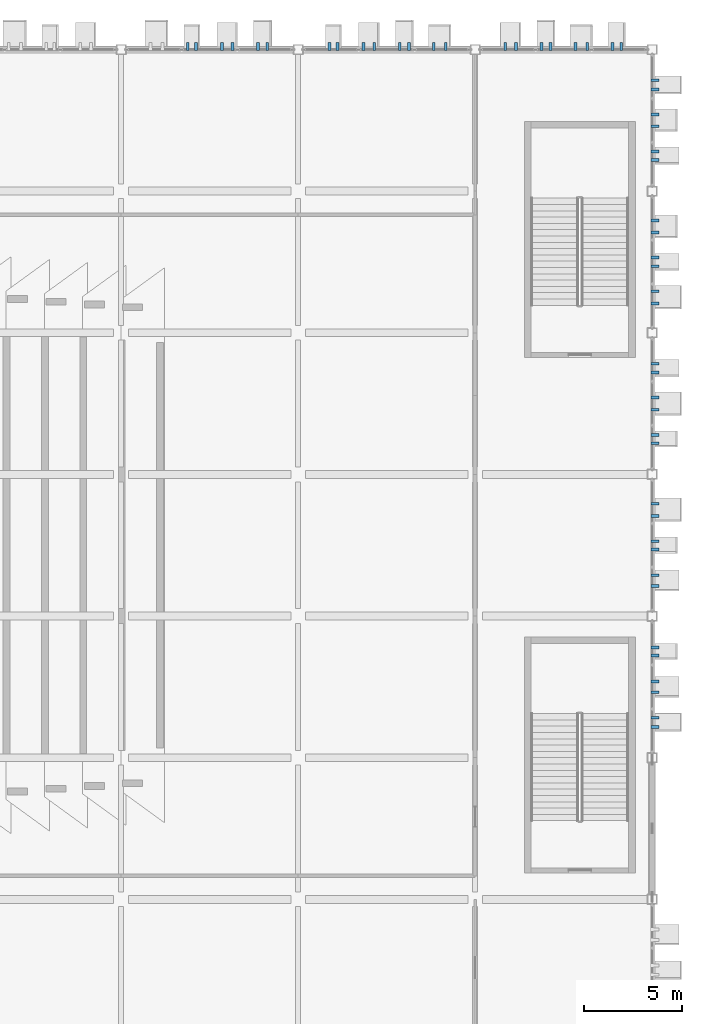
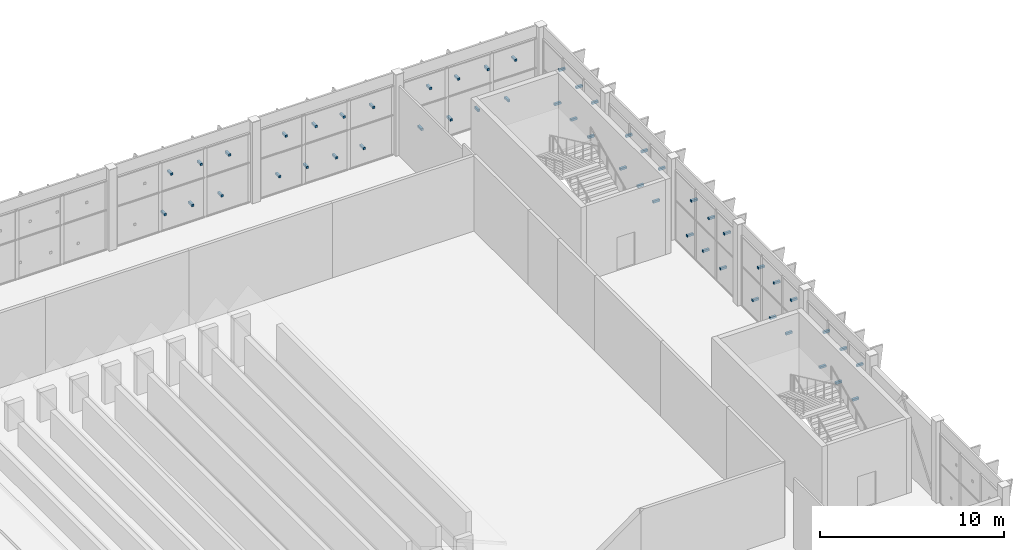
# One storey, part 157 of 189: 52 discrete accessories.
"""IFC4 building model written with IfcOpenShell, lengths in metres."""

from ifc_helpers import new_model, si_unit, direction, frame, origin, origin_2d, place, context, subcontext, project, spatial, rectangle, extrude, material, type_object, element, save


model = new_model("IFC4")

# Units and contexts
model_context = context("Model", 3, precision=1e-05, world=origin(), true_north=direction((0.0, 1.0)))
body_context = subcontext(model_context, "Body", "Model", "MODEL_VIEW")
ifc_project = project(units=[si_unit("LENGTHUNIT", "METRE"), si_unit("AREAUNIT", "SQUARE_METRE"), si_unit("VOLUMEUNIT", "CUBIC_METRE"), si_unit("PLANEANGLEUNIT", "RADIAN"), si_unit("MASSUNIT", "GRAM", prefix="KILO")], contexts=[model_context])

# Site, building, storey
site_placement = place(None, origin())
site = spatial("IfcSite", under=ifc_project, at=site_placement, CompositionType="ELEMENT")
building_placement = place(site_placement, origin())
building = spatial("IfcBuilding", under=site, at=building_placement, Name="Celestram Park Convention Centre", CompositionType="ELEMENT")
storey_placement = place(building_placement, frame((0.0, 0.0, 5.39990234375)))
storey = spatial("IfcBuildingStorey", under=building, at=storey_placement, Name="L01", CompositionType="ELEMENT", Elevation=5.39990234375)

# Discrete accessories
ifc_material = material(Name="Steel ASTM A500 Grade C", Category="steel")
discrete_accessory_type = type_object("IfcDiscreteAccessoryType", Name="ARC-BRK-OUT400", PredefinedType="BRACKET", material=ifc_material)
for number, where, z_axis, x_axis, name in (
    (1, (192.393310546875, 165.75, 0.966796875), (0.0, 0.0, 1.0), (0.0, 1.0, 0.0), "Solar fin outrigger bracket BK-L01-0417"),
    (2, (192.806640625, 165.75, 3.517578125), (0.0, 0.0, 1.0), (0.0, 1.0, 0.0), "Solar fin outrigger bracket BK-L01-0418"),
    (3, (194.129150390625, 165.75, 0.97900390625), (0.0, 0.0, 1.0), (0.0, 1.0, 0.0), "Solar fin outrigger bracket BK-L01-0419"),
    (4, (194.6708984375, 165.75, 3.50537109375), (0.0, 0.0, 1.0), (0.0, 1.0, 0.0), "Solar fin outrigger bracket BK-L01-0420"),
    (5, (195.966796875, 165.75, 0.9716796875), (0.0, 0.0, 1.0), (0.0, 1.0, 0.0), "Solar fin outrigger bracket BK-L01-0421"),
    (6, (196.43310546875, 165.75, 3.5126953125), (0.0, 0.0, 1.0), (0.0, 1.0, 0.0), "Solar fin outrigger bracket BK-L01-0422"),
    (7, (199.593505859375, 165.75, 0.966796875), (0.0, 0.0, 1.0), (0.0, 1.0, 0.0), "Solar fin outrigger bracket BK-L01-0423"),
    (8, (200.006591796875, 165.75, 3.517578125), (0.0, 0.0, 1.0), (0.0, 1.0, 0.0), "Solar fin outrigger bracket BK-L01-0424"),
    (9, (201.3291015625, 165.75, 0.97900390625), (0.0, 0.0, 1.0), (0.0, 1.0, 0.0), "Solar fin outrigger bracket BK-L01-0425"),
    (10, (201.870849609375, 165.75, 3.50537109375), (0.0, 0.0, 1.0), (0.0, 1.0, 0.0), "Solar fin outrigger bracket BK-L01-0426"),
    (11, (203.166748046875, 165.75, 0.9716796875), (0.0, 0.0, 1.0), (0.0, 1.0, 0.0), "Solar fin outrigger bracket BK-L01-0427"),
    (12, (203.63330078125, 165.75, 3.5126953125), (0.0, 0.0, 1.0), (0.0, 1.0, 0.0), "Solar fin outrigger bracket BK-L01-0428"),
    (13, (204.900634765625, 165.75, 0.9853515625), (0.0, 0.0, 1.0), (0.0, 1.0, 0.0), "Solar fin outrigger bracket BK-L01-0429"),
    (14, (205.49951171875, 165.75, 3.4990234375), (0.0, 0.0, 1.0), (0.0, 1.0, 0.0), "Solar fin outrigger bracket BK-L01-0430"),
    (15, (208.529296875, 165.75, 0.97900390625), (0.0, 0.0, 1.0), (0.0, 1.0, 0.0), "Solar fin outrigger bracket BK-L01-0431"),
    (16, (209.07080078125, 165.75, 3.50537109375), (0.0, 0.0, 1.0), (0.0, 1.0, 0.0), "Solar fin outrigger bracket BK-L01-0432"),
    (17, (210.36669921875, 165.75, 0.9716796875), (0.0, 0.0, 1.0), (0.0, 1.0, 0.0), "Solar fin outrigger bracket BK-L01-0433"),
    (18, (210.833251953125, 165.75, 3.5126953125), (0.0, 0.0, 1.0), (0.0, 1.0, 0.0), "Solar fin outrigger bracket BK-L01-0434"),
    (19, (212.1005859375, 165.75, 0.9853515625), (0.0, 0.0, 1.0), (0.0, 1.0, 0.0), "Solar fin outrigger bracket BK-L01-0435"),
    (20, (212.699462890625, 165.75, 3.4990234375), (0.0, 0.0, 1.0), (0.0, 1.0, 0.0), "Solar fin outrigger bracket BK-L01-0436"),
    (21, (213.97998046875, 165.75, 0.96923828125), (0.0, 0.0, 1.0), (0.0, 1.0, 0.0), "Solar fin outrigger bracket BK-L01-0437"),
    (22, (214.419921875, 165.75, 3.51513671875), (0.0, 0.0, 1.0), (0.0, 1.0, 0.0), "Solar fin outrigger bracket BK-L01-0438"),
    (23, (216.14990234375, 164.033203125, 0.9716796875), (0.0, 0.0, 1.0), (1.0, 0.0, 0.0), "Solar fin outrigger bracket BK-L01-0439"),
    (24, (216.14990234375, 163.56689453125, 3.5126953125), (0.0, 0.0, 1.0), (1.0, 0.0, 0.0), "Solar fin outrigger bracket BK-L01-0440"),
    (25, (216.14990234375, 162.29931640625, 0.9853515625), (0.0, 0.0, 1.0), (1.0, 0.0, 0.0), "Solar fin outrigger bracket BK-L01-0441"),
    (26, (216.14990234375, 161.70068359375, 3.4990234375), (0.0, 0.0, 1.0), (1.0, 0.0, 0.0), "Solar fin outrigger bracket BK-L01-0442"),
    (27, (216.14990234375, 160.419921875, 0.96923828125), (0.0, 0.0, 1.0), (1.0, 0.0, 0.0), "Solar fin outrigger bracket BK-L01-0443"),
    (28, (216.14990234375, 159.97998046875, 3.51513671875), (0.0, 0.0, 1.0), (1.0, 0.0, 0.0), "Solar fin outrigger bracket BK-L01-0444"),
    (29, (216.14990234375, 156.903076171875, 0.998046875), (0.0, 0.0, 1.0), (1.0, 0.0, 0.0), "Solar fin outrigger bracket BK-L01-0445"),
    (30, (216.14990234375, 156.297119140625, 3.5419921875), (0.0, 0.0, 1.0), (1.0, 0.0, 0.0), "Solar fin outrigger bracket BK-L01-0446"),
    (31, (216.14990234375, 155.022705078125, 0.9814453125), (0.0, 0.0, 1.0), (1.0, 0.0, 0.0), "Solar fin outrigger bracket BK-L01-0447"),
    (32, (216.14990234375, 154.577392578125, 3.55859375), (0.0, 0.0, 1.0), (1.0, 0.0, 0.0), "Solar fin outrigger bracket BK-L01-0448"),
    (33, (216.14990234375, 153.31201171875, 1.00048828125), (0.0, 0.0, 1.0), (1.0, 0.0, 0.0), "Solar fin outrigger bracket BK-L01-0449"),
    (34, (216.14990234375, 152.68798828125, 3.5400390625), (0.0, 0.0, 1.0), (1.0, 0.0, 0.0), "Solar fin outrigger bracket BK-L01-0450"),
    (35, (216.14990234375, 149.62255859375, 0.9814453125), (0.0, 0.0, 1.0), (1.0, 0.0, 0.0), "Solar fin outrigger bracket BK-L01-0451"),
    (36, (216.14990234375, 149.177490234375, 3.55859375), (0.0, 0.0, 1.0), (1.0, 0.0, 0.0), "Solar fin outrigger bracket BK-L01-0452"),
    (37, (216.14990234375, 147.911865234375, 1.00048828125), (0.0, 0.0, 1.0), (1.0, 0.0, 0.0), "Solar fin outrigger bracket BK-L01-0453"),
    (38, (216.14990234375, 147.2880859375, 3.5400390625), (0.0, 0.0, 1.0), (1.0, 0.0, 0.0), "Solar fin outrigger bracket BK-L01-0454"),
    (39, (216.14990234375, 146.009033203125, 0.9794921875), (0.0, 0.0, 1.0), (1.0, 0.0, 0.0), "Solar fin outrigger bracket BK-L01-0455"),
    (40, (216.14990234375, 145.5908203125, 3.56103515625), (0.0, 0.0, 1.0), (1.0, 0.0, 0.0), "Solar fin outrigger bracket BK-L01-0456"),
    (41, (216.14990234375, 142.511962890625, 1.00048828125), (0.0, 0.0, 1.0), (1.0, 0.0, 0.0), "Solar fin outrigger bracket BK-L01-0457"),
    (42, (216.14990234375, 141.88818359375, 3.5400390625), (0.0, 0.0, 1.0), (1.0, 0.0, 0.0), "Solar fin outrigger bracket BK-L01-0458"),
    (43, (216.14990234375, 140.609130859375, 0.9794921875), (0.0, 0.0, 1.0), (1.0, 0.0, 0.0), "Solar fin outrigger bracket BK-L01-0459"),
    (44, (216.14990234375, 140.19091796875, 3.56103515625), (0.0, 0.0, 1.0), (1.0, 0.0, 0.0), "Solar fin outrigger bracket BK-L01-0460"),
    (45, (216.14990234375, 138.8740234375, 0.99169921875), (0.0, 0.0, 1.0), (1.0, 0.0, 0.0), "Solar fin outrigger bracket BK-L01-0461"),
    (46, (216.14990234375, 138.325927734375, 3.548828125), (0.0, 0.0, 1.0), (1.0, 0.0, 0.0), "Solar fin outrigger bracket BK-L01-0462"),
    (47, (216.14990234375, 135.208984375, 0.9794921875), (0.0, 0.0, 1.0), (1.0, 0.0, 0.0), "Solar fin outrigger bracket BK-L01-0463"),
    (48, (216.14990234375, 134.791015625, 3.56103515625), (0.0, 0.0, 1.0), (1.0, 0.0, 0.0), "Solar fin outrigger bracket BK-L01-0464"),
    (49, (216.14990234375, 133.47412109375, 0.99169921875), (0.0, 0.0, 1.0), (1.0, 0.0, 0.0), "Solar fin outrigger bracket BK-L01-0465"),
    (50, (216.14990234375, 132.92578125, 3.548828125), (0.0, 0.0, 1.0), (1.0, 0.0, 0.0), "Solar fin outrigger bracket BK-L01-0466"),
    (51, (216.14990234375, 131.635986328125, 0.98388671875), (0.0, 0.0, 1.0), (1.0, 0.0, 0.0), "Solar fin outrigger bracket BK-L01-0467"),
    (52, (216.14990234375, 131.1640625, 3.55615234375), (0.0, 0.0, 1.0), (1.0, 0.0, 0.0), "Solar fin outrigger bracket BK-L01-0468"),
):
    element("IfcDiscreteAccessory", number, at=place(storey_placement, frame(where, z_axis=z_axis, x_axis=x_axis)), inside=storey, type_object=discrete_accessory_type, Name=name, PredefinedType="BRACKET", context=body_context, shape_type="SweptSolid", body=[
        extrude(rectangle(XDim=0.39990234375, YDim=0.139892578125, at=origin_2d()), origin(), (0.0, 0.0, 1.0), 0.139892578125),
    ])

save(model, "model.ifc")
